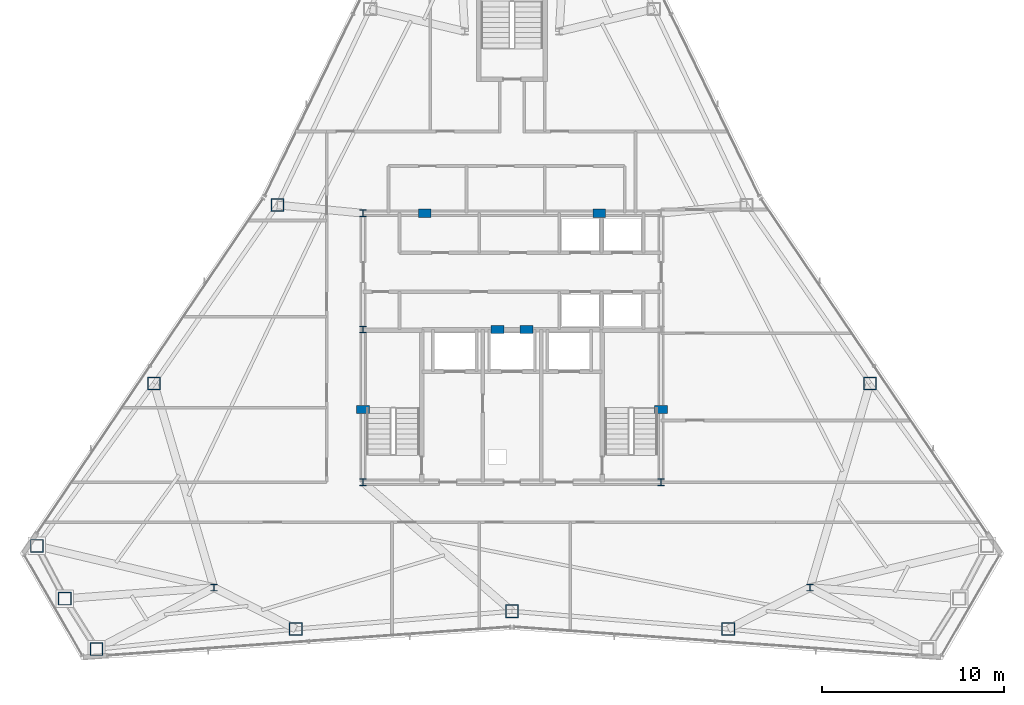
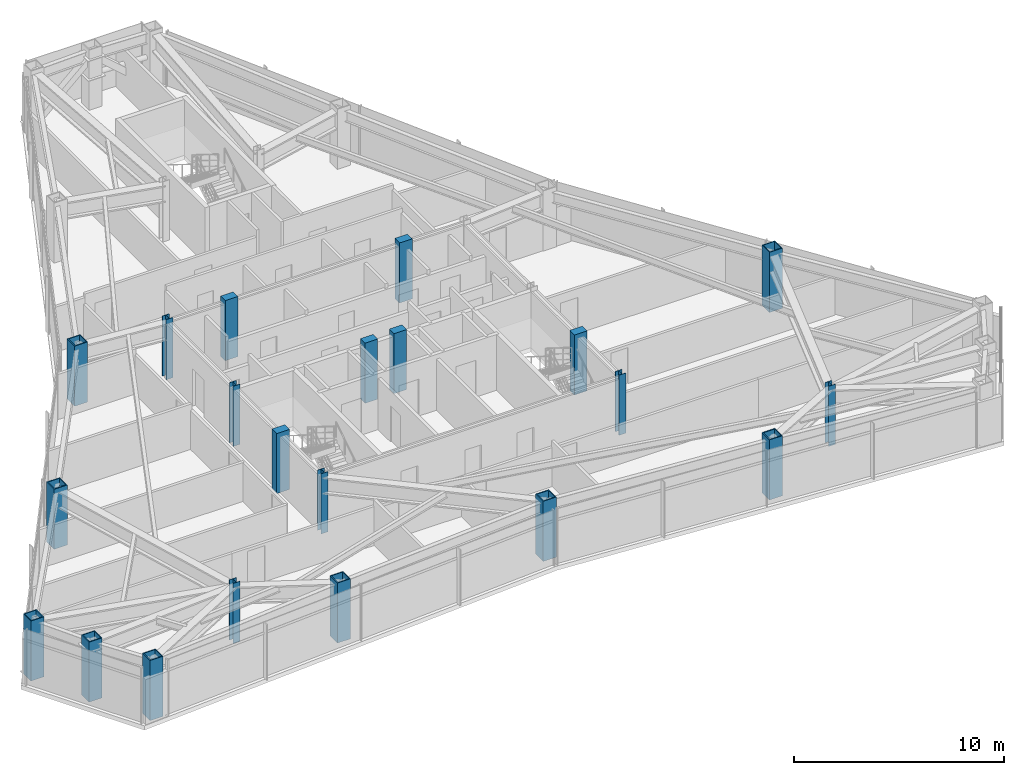
# One storey, part 1 of 12: 21 columns.
"""IFC4 building model written with IfcOpenShell, lengths in metres."""

from ifc_helpers import new_model, si_unit, direction, frame, origin, origin_2d, place, context, subcontext, project, spatial, rectangle, hollow_rectangle, i_section, extrude, material, material_profile, profile_set, type_object, element, save


model = new_model("IFC4")

# Units and contexts
model_context = context("Model", 3, precision=1e-05, world=origin(), true_north=direction((0.0, 1.0)))
body_context = subcontext(model_context, "Body", "Model", "MODEL_VIEW")
ifc_project = project(units=[si_unit("LENGTHUNIT", "METRE"), si_unit("AREAUNIT", "SQUARE_METRE"), si_unit("VOLUMEUNIT", "CUBIC_METRE"), si_unit("PLANEANGLEUNIT", "RADIAN"), si_unit("MASSUNIT", "GRAM", prefix="KILO")], contexts=[model_context])

# Site, building, storey
site_placement = place(None, origin())
site = spatial("IfcSite", under=ifc_project, at=site_placement, CompositionType="ELEMENT")
building_placement = place(site_placement, origin())
building = spatial("IfcBuilding", under=site, at=building_placement, Name="Varakhsha Concourse Tower", CompositionType="ELEMENT")
storey_placement = place(building_placement, frame((0.0, 0.0, 211.89990234375)))
storey = spatial("IfcBuildingStorey", under=building, at=storey_placement, Name="L60", CompositionType="ELEMENT", Elevation=211.89990234375)

# Columns
ifc_material_1 = material(Name="Structural Steel ASTM A992 Grade 50", Category="steel")
ifc_material_profile_1 = material_profile(ifc_material_1, i_section(OverallWidth=0.3740234375, OverallDepth=0.3720703125, WebThickness=0.01611328125, FlangeThickness=0.02587890625, at=origin_2d()), Name="W14X132")
ifc_profile_set_1 = profile_set([ifc_material_profile_1], Name="Structural Steel ASTM A992 Grade 50")
column_type_1 = type_object("IfcColumnType", Name="CL-CORE-W14X132", PredefinedType="COLUMN", material=ifc_profile_set_1)
for number, where, z_axis, x_axis, name in (
    (1, (31.800048828125, 16.39990234375, 0.0), (0.0, 0.0, 1.0), (1.0, 0.0, 0.0), "L60 Core Column CC-SW"),
    (2, (48.199951171875, 16.39990234375, 0.0), (0.0, 0.0, 1.0), (1.0, 0.0, 0.0), "L60 Core Column CC-SE"),
    (3, (31.800048828125, 24.800048828125, 0.0), (0.0, 0.0, 1.0), (1.0, 0.0, 0.0), "L60 Core Column CC-MW"),
    (4, (31.800048828125, 31.199951171875, 0.0), (0.0, 0.0, 1.0), (1.0, 0.0, 0.0), "L60 Core Column CC-NW"),
    (5, (23.60009765625, 10.60009765625, 0.0), (0.0, 0.0, 1.0), (1.0, 0.0, 0.0), "L60 Core Column SS-W"),
    (6, (56.39990234375, 10.60009765625, 0.0), (0.0, 0.0, 1.0), (1.0, 0.0, 0.0), "L60 Core Column SS-E"),
):
    element("IfcColumn", number, at=place(storey_placement, frame(where, z_axis=z_axis, x_axis=x_axis)), inside=storey, type_object=column_type_1, Name=name, PredefinedType="COLUMN", context=body_context, shape_type="SweptSolid", body=[
        extrude(i_section(OverallWidth=0.3740234375, OverallDepth=0.3720703125, WebThickness=0.01611328125, FlangeThickness=0.02587890625, at=origin_2d()), origin(), (0.0, 0.0, 1.0), 3.5),
    ])
ifc_material_2 = material(Name="Concrete fc 65 MPa", Category="concrete")
ifc_material_profile_2 = material_profile(ifc_material_2, rectangle(XDim=0.699951171875, YDim=0.449951171875, at=origin_2d()), Name="RC 700x450")
ifc_profile_set_2 = profile_set([ifc_material_profile_2], Name="Concrete fc 65 MPa")
column_type_2 = type_object("IfcColumnType", Name="CL-PIL-700X450", PredefinedType="PILASTER", material=ifc_profile_set_2)
for number, where, z_axis, x_axis, name in (
    (7, (31.800048828125, 20.39990234375, 0.0), (0.0, 0.0, 1.0), (1.0, 0.0, 0.0), "L60 Core Boundary Pilaster PIL-W1"),
    (8, (48.199951171875, 20.39990234375, 0.0), (0.0, 0.0, 1.0), (1.0, 0.0, 0.0), "L60 Core Boundary Pilaster PIL-E1"),
    (9, (35.199951171875, 31.199951171875, 0.0), (0.0, 0.0, 1.0), (1.0, 0.0, 0.0), "L60 Core Boundary Pilaster PIL-N1"),
    (10, (44.800048828125, 31.199951171875, 0.0), (0.0, 0.0, 1.0), (1.0, 0.0, 0.0), "L60 Core Boundary Pilaster PIL-N2"),
    (11, (39.199951171875, 24.800048828125, 0.0), (0.0, 0.0, 1.0), (1.0, 0.0, 0.0), "L60 Core Boundary Pilaster PIL-M1"),
    (12, (40.800048828125, 24.800048828125, 0.0), (0.0, 0.0, 1.0), (1.0, 0.0, 0.0), "L60 Core Boundary Pilaster PIL-M2"),
):
    element("IfcColumn", number, at=place(storey_placement, frame(where, z_axis=z_axis, x_axis=x_axis)), inside=storey, type_object=column_type_2, Name=name, PredefinedType="PILASTER", context=body_context, shape_type="SweptSolid", body=[
        extrude(rectangle(XDim=0.699951171875, YDim=0.449951171875, at=origin_2d()), origin(), (0.0, 0.0, 1.0), 3.5),
    ])
ifc_material_3 = material(Name="Structural Steel ASTM A572 Grade 50", Category="steel")
ifc_material_profile_3 = material_profile(ifc_material_3, hollow_rectangle(XDim=0.719970703125, YDim=0.719970703125, WallThickness=0.050048828125, at=origin_2d()), Name="BOX 720x720x50")
ifc_profile_set_3 = profile_set([ifc_material_profile_3], Name="Structural Steel ASTM A572 Grade 50")
column_type_3 = type_object("IfcColumnType", Name="CL-TUBE-720", PredefinedType="COLUMN", material=ifc_profile_set_3)
for number, where, z_axis, x_axis, name in (
    (13, (27.09375, 31.651611328125, 0.0), (0.0, 0.0, 1.0), (1.0, 0.0, 0.0), "L60 Framed-Tube Column TC05"),
    (14, (20.301513671875, 21.833740234375, 0.0), (0.0, 0.0, 1.0), (1.0, 0.0, 0.0), "L60 Framed-Tube Column TC06"),
    (15, (13.856201171875, 12.897216796875, 0.0), (0.0, 0.0, 1.0), (1.0, 0.0, 0.0), "L60 Framed-Tube Column TC07"),
    (16, (15.389404296875, 9.9912109375, 0.0), (0.0, 0.0, 1.0), (1.0, 0.0, 0.0), "L60 Framed-Tube Column TC08"),
    (17, (17.1396484375, 7.210205078125, 0.0), (0.0, 0.0, 1.0), (1.0, 0.0, 0.0), "L60 Framed-Tube Column TC09"),
    (18, (28.1015625, 8.323486328125, 0.0), (0.0, 0.0, 1.0), (1.0, 0.0, 0.0), "L60 Framed-Tube Column TC10"),
    (19, (40.0, 9.297119140625, 0.0), (0.0, 0.0, 1.0), (1.0, 0.0, 0.0), "L60 Framed-Tube Column TC11"),
    (20, (51.8984375, 8.323486328125, 0.0), (0.0, 0.0, 1.0), (1.0, 0.0, 0.0), "L60 Framed-Tube Column TC12"),
    (21, (59.698486328125, 21.833740234375, 0.0), (0.0, 0.0, 1.0), (1.0, 0.0, 0.0), "L60 Framed-Tube Column TC16"),
):
    element("IfcColumn", number, at=place(storey_placement, frame(where, z_axis=z_axis, x_axis=x_axis)), inside=storey, type_object=column_type_3, Name=name, PredefinedType="COLUMN", context=body_context, shape_type="SweptSolid", body=[
        extrude(hollow_rectangle(XDim=0.719970703125, YDim=0.719970703125, WallThickness=0.050048828125, at=origin_2d()), origin(), (0.0, 0.0, 1.0), 3.5),
    ])

save(model, "model.ifc")
